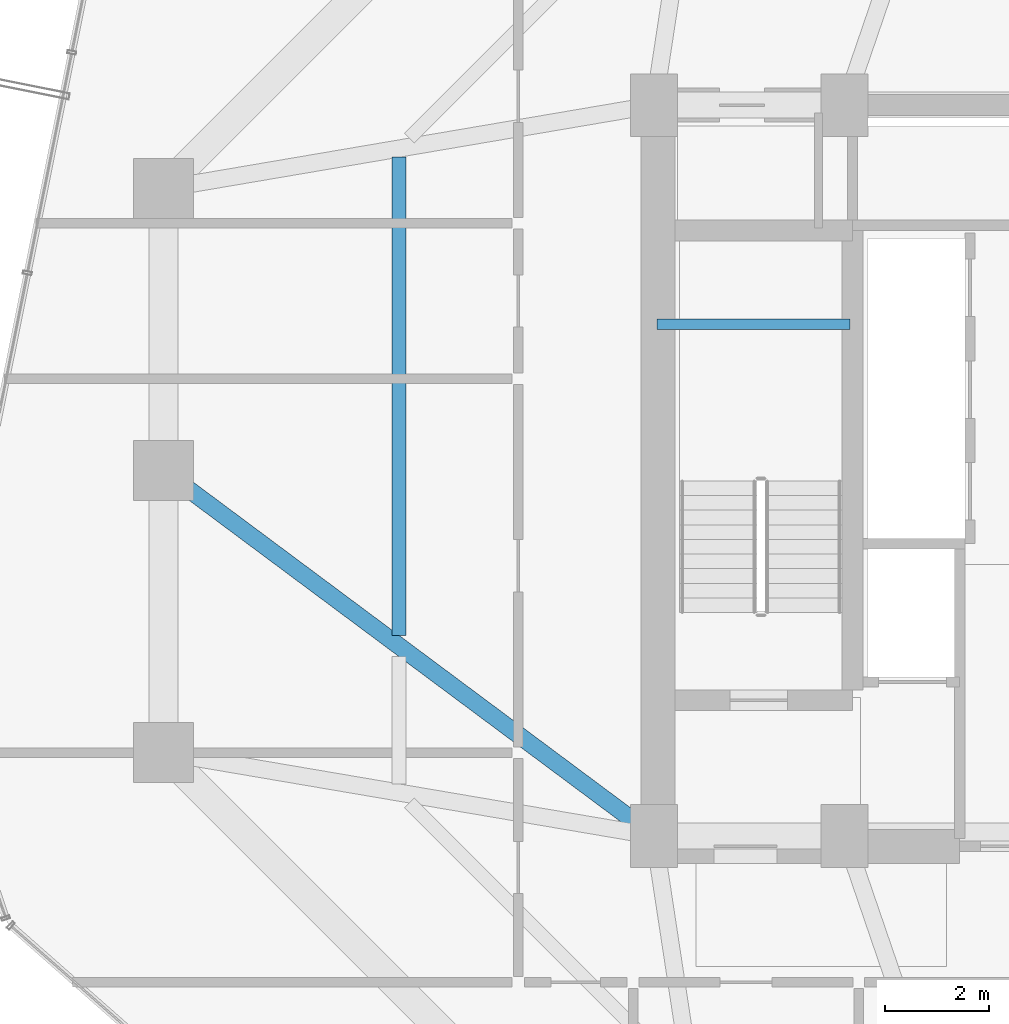
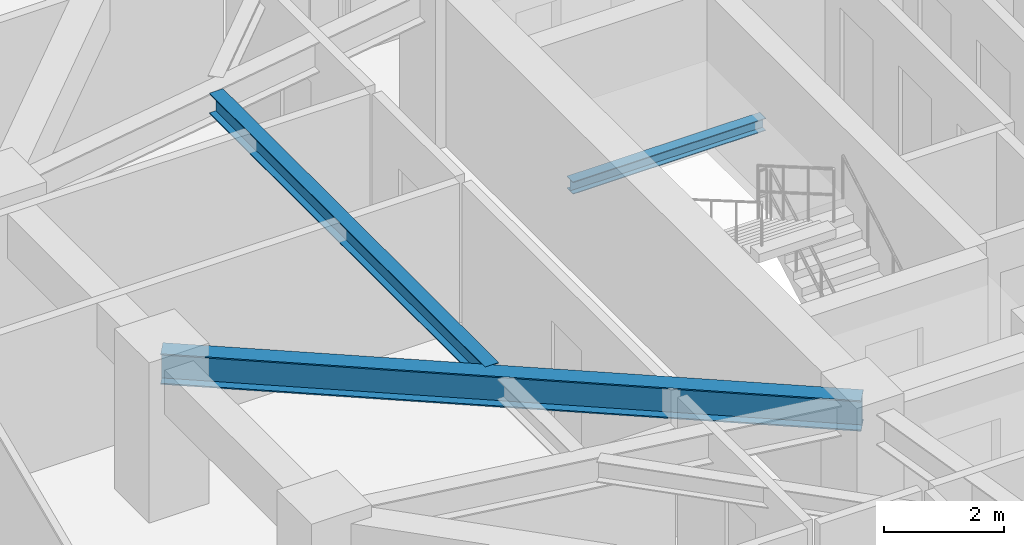
# One storey, part 12 of 32: 3 beams.
"""IFC4 building model written with IfcOpenShell, lengths in metres."""

from ifc_helpers import new_model, si_unit, direction, frame, origin, origin_2d, place, context, subcontext, project, spatial, i_section, extrude, material, material_profile, profile_set, type_object, element, save


model = new_model("IFC4")

# Units and contexts
model_context = context("Model", 3, precision=1e-05, world=origin(), true_north=direction((0.0, 1.0)))
body_context = subcontext(model_context, "Body", "Model", "MODEL_VIEW")
ifc_project = project(units=[si_unit("LENGTHUNIT", "METRE"), si_unit("AREAUNIT", "SQUARE_METRE"), si_unit("VOLUMEUNIT", "CUBIC_METRE"), si_unit("PLANEANGLEUNIT", "RADIAN"), si_unit("MASSUNIT", "GRAM", prefix="KILO")], contexts=[model_context])

# Site, building, storey
site_placement = place(None, origin())
site = spatial("IfcSite", under=ifc_project, at=site_placement, CompositionType="ELEMENT")
building_placement = place(site_placement, origin())
building = spatial("IfcBuilding", under=site, at=building_placement, Name="Veraguas Prism Commons", CompositionType="ELEMENT")
storey_placement = place(building_placement, frame((0.0, 0.0, 89.449951171875)))
storey = spatial("IfcBuildingStorey", under=building, at=storey_placement, Name="L24", CompositionType="ELEMENT", Elevation=89.449951171875)

# Beams
ifc_material = material(Name="Steel ASTM A992 Grade 50", Category="steel")
ifc_material_profile_1 = material_profile(ifc_material, i_section(OverallWidth=0.260986328125, OverallDepth=0.419921875, WebThickness=0.01171875, FlangeThickness=0.019287109375, at=origin_2d()), Name="W410X114")
ifc_profile_set_1 = profile_set([ifc_material_profile_1], Name="Steel ASTM A992 Grade 50")
beam_type_1 = type_object("IfcBeamType", Name="Lower Floor Joist W410x114", PredefinedType="JOIST", material=ifc_profile_set_1)
beam_1_placement = place(storey_placement, frame((12.31201171875, 30.003662109375, 2.7900390625), z_axis=(0.0, -1.0, 0.0), x_axis=(1.0, 0.0, 0.0)))
element("IfcBeam", 1, at=beam_1_placement, inside=storey, type_object=beam_type_1, Name="Composite Floor Joist L24-JS07", PredefinedType="JOIST", context=body_context, shape_type="SweptSolid", body=[
    extrude(i_section(OverallWidth=0.260986328125, OverallDepth=0.419921875, WebThickness=0.01171875, FlangeThickness=0.019287109375, at=origin_2d()), origin(), (0.0, 0.0, 1.0), 9.16162109375),
])
ifc_material_profile_2 = material_profile(ifc_material, i_section(OverallWidth=0.202880859375, OverallDepth=0.251953125, WebThickness=0.008056640625, FlangeThickness=0.013427734375, at=origin_2d()), Name="W250X58")
ifc_profile_set_2 = profile_set([ifc_material_profile_2], Name="Steel ASTM A992 Grade 50")
beam_type_2 = type_object("IfcBeamType", Name="Structural Opening Lintel W250x58", PredefinedType="LINTEL", material=ifc_profile_set_2)
beam_2_placement = place(storey_placement, frame((17.25, 26.800048828125, 1.299072265625), z_axis=(1.0, 0.0, 0.0), x_axis=(0.0, 1.0, 0.0)))
element("IfcBeam", 2, at=beam_2_placement, inside=storey, type_object=beam_type_2, Name="Stair ST-01 Half-Landing Support Beam L24-1", PredefinedType="LINTEL", context=body_context, shape_type="SweptSolid", body=[
    extrude(i_section(OverallWidth=0.202880859375, OverallDepth=0.251953125, WebThickness=0.008056640625, FlangeThickness=0.013427734375, at=origin_2d()), origin(), (0.0, 0.0, 1.0), 3.699951171875),
])
ifc_material_profile_3 = material_profile(ifc_material, i_section(OverallWidth=0.327880859375, OverallDepth=0.6220703125, WebThickness=0.015380859375, FlangeThickness=0.0244140625, at=origin_2d()), Name="W610X195")
ifc_profile_set_3 = profile_set([ifc_material_profile_3], Name="Steel ASTM A992 Grade 50")
beam_type_3 = type_object("IfcBeamType", Name="Zone 2 Radial Girder W610x195", PredefinedType="BEAM", material=ifc_profile_set_3)
beam_3_placement = place(storey_placement, frame((7.800048828125, 24.0, 2.68896484375), z_axis=(0.802040137921, -0.597270137512, 0.0), x_axis=(0.597270137512, 0.802040137921, 0.0)))
element("IfcBeam", 3, at=beam_3_placement, inside=storey, type_object=beam_type_3, Name="Radial Floor Girder L24-RD08", PredefinedType="BEAM", context=body_context, shape_type="SweptSolid", body=[
    extrude(i_section(OverallWidth=0.327880859375, OverallDepth=0.6220703125, WebThickness=0.015380859375, FlangeThickness=0.0244140625, at=origin_2d()), origin(), (0.0, 0.0, 1.0), 11.719970703125),
])

save(model, "model.ifc")
